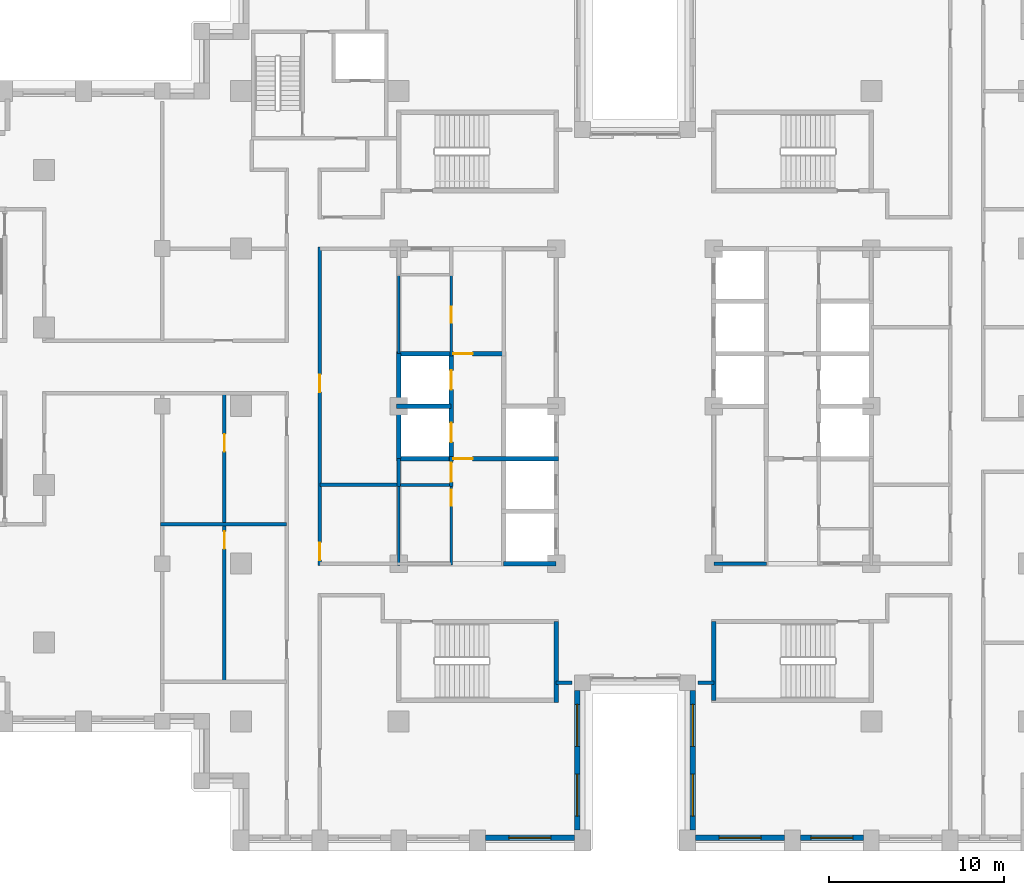
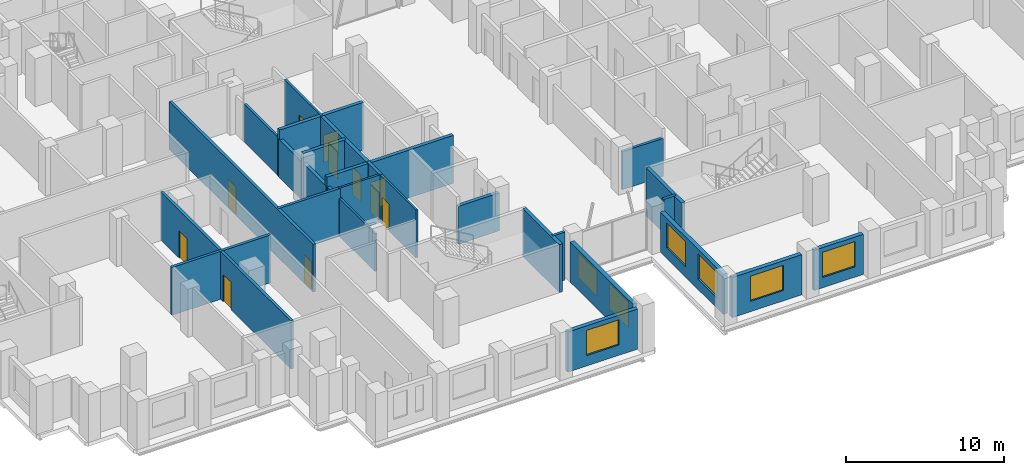
# One storey, part 7 of 16: 27 walls, 11 doors, 7 windows, 18 openings.
"""IFC4 building model written with IfcOpenShell, lengths in metres."""

import ifcopenshell
import ifcopenshell.guid

model = None  # the IFC model being written
_history = None  # IfcOwnerHistory: only IFC2X3 demands one
_inside = {}  # id of a spatial element -> (the spatial element, [elements in it])
_under = {}  # id of a project, library or spatial element -> (it, [spatial elements below it])
_declared = {}  # id of a project -> (the project, [libraries it declares])
_typed = {}  # id of a type object -> (the type object, [elements of that type])
_made_of = {}  # id of a material, layer set ... -> (it, [elements and type objects made of it])


def new_model(schema):
    """Start an empty IFC model of exactly this schema.

    Asked for "IFC4X3", IfcOpenShell would pick the latest addendum, in which some entities
    have other attributes; the version numbers below select the first issue.
    IFC2X3 requires an IfcOwnerHistory on every rooted entity: one is made here for all.
    """
    global model, _history
    if schema == "IFC4X3":
        model = ifcopenshell.file(schema_version=(4, 3, 0, 0))
    else:
        model = ifcopenshell.file(schema=schema)
    _inside.clear()
    _under.clear()
    _declared.clear()
    _typed.clear()
    _made_of.clear()
    _history = None
    if model.schema == "IFC2X3":
        org = make("IfcOrganization", Name="unknown")
        user = make(
            "IfcPersonAndOrganization",
            ThePerson=make("IfcPerson", FamilyName="unknown"),
            TheOrganization=org,
        )
        app = make(
            "IfcApplication",
            ApplicationDeveloper=org,
            Version="unknown",
            ApplicationFullName="unknown",
            ApplicationIdentifier="unknown",
        )
        _history = make(
            "IfcOwnerHistory",
            OwningUser=user,
            OwningApplication=app,
            ChangeAction="ADDED",
            CreationDate=0,
        )
    return model


def make(cls, **values):
    """One entity of the class cls with the attributes given. An attribute that is None is left unset."""
    return model.create_entity(
        cls, **{name: value for name, value in values.items() if value is not None}
    )


def rooted(cls, **values):
    """An entity with a GlobalId (a new one), such as an element, a storey or a relation."""
    return make(cls, GlobalId=ifcopenshell.guid.new(), OwnerHistory=_history, **values)


def si_unit(unit_type, name, prefix=None):
    """IfcSIUnit, for example si_unit("LENGTHUNIT", "METRE", prefix="MILLI")."""
    return make("IfcSIUnit", UnitType=unit_type, Prefix=prefix, Name=name)


def assignment(units):
    """IfcUnitAssignment: the units of a project."""
    return None if units is None else make("IfcUnitAssignment", Units=units)


def point(xyz):
    """IfcCartesianPoint."""
    return None if xyz is None else make("IfcCartesianPoint", Coordinates=xyz)


def direction(xyz):
    """IfcDirection."""
    return None if xyz is None else make("IfcDirection", DirectionRatios=xyz)


def frame(location, z_axis=None, x_axis=None):
    """IfcAxis2Placement3D, a coordinate frame: its origin and axes. An axis left out is left unset."""
    return make(
        "IfcAxis2Placement3D",
        Location=point(location),
        Axis=direction(z_axis),
        RefDirection=direction(x_axis),
    )


def frame_2d(location, x_axis=None):
    """IfcAxis2Placement2D, a coordinate frame in the plane: its origin and x axis."""
    return make(
        "IfcAxis2Placement2D", Location=point(location), RefDirection=direction(x_axis)
    )


def origin():
    """The frame at (0, 0, 0) with its axes left unset."""
    return frame((0.0, 0.0, 0.0))


def place(relative_to, where):
    """IfcLocalPlacement: puts the frame where relative to a parent placement (None: the world)."""
    return make(
        "IfcLocalPlacement", PlacementRelTo=relative_to, RelativePlacement=where
    )


def context(
    kind, dimensions, precision=None, world=None, true_north=None, identifier=None
):
    """IfcGeometricRepresentationContext, for example the 3D "Model" context."""
    return make(
        "IfcGeometricRepresentationContext",
        ContextIdentifier=identifier,
        ContextType=kind,
        CoordinateSpaceDimension=dimensions,
        Precision=precision,
        WorldCoordinateSystem=world,
        TrueNorth=true_north,
    )


def subcontext(parent, identifier, kind, view, scale=None):
    """IfcGeometricRepresentationSubContext, for example "Body" below "Model"."""
    return make(
        "IfcGeometricRepresentationSubContext",
        ContextIdentifier=identifier,
        ContextType=kind,
        ParentContext=parent,
        TargetScale=scale,
        TargetView=view,
    )


def project(units=None, contexts=None):
    """IfcProject with its units and contexts."""
    return rooted(
        "IfcProject",
        Name="project",
        RepresentationContexts=contexts,
        UnitsInContext=assignment(units),
    )


def spatial(cls, under=None, at=None, **own):
    """A site, building, storey or space (cls), placed at a placement, below another one or the project."""
    s = rooted(cls, ObjectPlacement=at, **own)
    if under is not None:
        _under.setdefault(under.id(), (under, []))[1].append(s)
    return s


def profile(cls, at=None, kind="AREA", **sizes):
    """A parametric profile (cls). Its sizes go by their IFC names, for example OverallWidth=200.0."""
    return make(cls, ProfileType=kind, Position=at, **sizes)


def rectangle(**sizes):
    """IfcRectangleProfileDef."""
    return profile("IfcRectangleProfileDef", **sizes)


def extrude(swept, where, along, depth):
    """IfcExtrudedAreaSolid: the profile swept, set in the frame where, extruded along a direction by depth."""
    return make(
        "IfcExtrudedAreaSolid",
        SweptArea=swept,
        Position=where,
        ExtrudedDirection=direction(along),
        Depth=depth,
    )


def shape(context_of_items, identifier, shape_type, items):
    """IfcShapeRepresentation: the items that make up one representation, for example the "Body"."""
    return make(
        "IfcShapeRepresentation",
        ContextOfItems=context_of_items,
        RepresentationIdentifier=identifier,
        RepresentationType=shape_type,
        Items=items,
    )


def material(Name=None, Category=None):
    """IfcMaterial."""
    return make("IfcMaterial", Name=Name, Category=Category)


def layer(
    of_material, thickness, ventilated=None, Name=None, Category=None, Priority=None
):
    """IfcMaterialLayer: one layer of a wall or slab, of a material (None: an air gap)."""
    return make(
        "IfcMaterialLayer",
        Material=of_material,
        LayerThickness=thickness,
        IsVentilated=ventilated,
        Name=Name,
        Category=Category,
        Priority=Priority,
    )


def layer_set(layers, Name=None):
    """IfcMaterialLayerSet."""
    return make("IfcMaterialLayerSet", MaterialLayers=layers, LayerSetName=Name)


def made_of(thing, what):
    """Note that an element or type object is made of a material, layer set ...; save() writes the relation."""
    if what is not None:
        _made_of.setdefault(what.id(), (what, []))[1].append(thing)
    return thing


def type_object(cls, material=None, **own):
    """A type object (cls), such as IfcWallType, which elements share."""
    return made_of(rooted(cls, **own), material)


def element(
    cls,
    number,
    at=None,
    inside=None,
    cuts=None,
    type_object=None,
    material=None,
    context=None,
    identifier="Body",
    shape_type=None,
    held_by="IfcProductDefinitionShape",
    body=None,
    shapes=None,
    **own,
):
    """One element of the class cls, such as IfcWall. Its Tag is "e" and its number.

    at: its placement. inside: the storey or other place that contains it. cuts: it is an
    opening in that element (IfcRelVoidsElement). A single representation is given by context,
    identifier, shape_type and body (its items); several are given by shapes. held_by: the class
    of the entity that holds the representations. save() writes the other relations.
    """
    e = rooted(cls, Tag="e%d" % number, ObjectPlacement=at, **own)
    if body is not None:
        shapes = [shape(context, identifier, shape_type, body)]
    if shapes is not None:
        e.Representation = make(held_by, Representations=shapes)
    if inside is not None:
        _inside.setdefault(inside.id(), (inside, []))[1].append(e)
    if cuts is not None:
        rooted(
            "IfcRelVoidsElement", RelatingBuildingElement=cuts, RelatedOpeningElement=e
        )
    if type_object is not None:
        _typed.setdefault(type_object.id(), (type_object, []))[1].append(e)
    return made_of(e, material)


def fill(opening, filler):
    """IfcRelFillsElement: the door or window that sits in an opening."""
    return rooted(
        "IfcRelFillsElement",
        RelatingOpeningElement=opening,
        RelatedBuildingElement=filler,
    )


def aggregate(whole, parts):
    """IfcRelAggregates: a whole, such as a stair, and the parts it consists of."""
    return rooted("IfcRelAggregates", RelatingObject=whole, RelatedObjects=parts)


def save(model, path):
    """Write the relations noted so far, then the file.

    IfcRelAggregates (storeys below a building ...), IfcRelContainedInSpatialStructure (elements
    in a storey), IfcRelDefinesByType, IfcRelAssociatesMaterial and IfcRelDeclares: one each for
    every whole, place, type object, material and project.
    """
    for whole, parts in _under.values():
        aggregate(whole, parts)
    for where, things in _inside.values():
        rooted(
            "IfcRelContainedInSpatialStructure",
            RelatedElements=things,
            RelatingStructure=where,
        )
    for kind, things in _typed.values():
        rooted("IfcRelDefinesByType", RelatedObjects=things, RelatingType=kind)
    for what, things in _made_of.values():
        rooted("IfcRelAssociatesMaterial", RelatedObjects=things, RelatingMaterial=what)
    for by, libraries in _declared.values():
        rooted("IfcRelDeclares", RelatingContext=by, RelatedDefinitions=libraries)
    model.write(path)


model = new_model("IFC4")

# Units and contexts
model_context = context("Model", 3, precision=1e-05, world=origin(), true_north=direction((0.0, 1.0)))
body_context = subcontext(model_context, "Body", "Model", "MODEL_VIEW")
ifc_project = project(units=[si_unit("LENGTHUNIT", "METRE"), si_unit("AREAUNIT", "SQUARE_METRE"), si_unit("VOLUMEUNIT", "CUBIC_METRE"), si_unit("PLANEANGLEUNIT", "RADIAN"), si_unit("MASSUNIT", "GRAM", prefix="KILO")], contexts=[model_context])

# Site, building, storey
site_placement = place(None, origin())
site = spatial("IfcSite", under=ifc_project, at=site_placement, CompositionType="ELEMENT")
building_placement = place(site_placement, origin())
building = spatial("IfcBuilding", under=site, at=building_placement, Name="Corbelhall Arena Tower", CompositionType="ELEMENT")
storey_placement = place(building_placement, frame((0.0, 0.0, 112.0)))
storey = spatial("IfcBuildingStorey", under=building, at=storey_placement, Name="L20", CompositionType="ELEMENT", Elevation=112.0)

# Wall, opening, window
ifc_material_1 = material(Name="Precast concrete C40/50 with granite facing", Category="masonry")
ifc_layer_1 = layer(ifc_material_1, 0.300048828125)
ifc_layer_set_1 = layer_set([ifc_layer_1], Name="EV-IW1 Infill panel 300")
wall_type_1 = type_object("IfcWallType", Name="EV-IW1 Infill panel 300", PredefinedType="SOLIDWALL", material=ifc_layer_set_1)
wall_1_placement = place(storey_placement, frame((-8.550048828125, -24.64990234375, 0.0), z_axis=(0.0, 0.0, 1.0), x_axis=(1.0, 0.0, 0.0)))
wall_1 = element("IfcWall", 1, at=wall_1_placement, inside=storey, type_object=wall_type_1, Name="Infill panel IW1", PredefinedType="SOLIDWALL", context=body_context, shape_type="SweptSolid", body=[
    extrude(rectangle(XDim=5.10009765625, YDim=0.300048828125, at=frame_2d((2.550048828125, 0.0))), origin(), (0.0, 0.0, 1.0), 3.10009765625),
])
opening_1_placement = place(wall_1_placement, frame((1.35009765625, 0.0, 0.800048828125)))
opening_1 = element("IfcOpeningElement", 2, at=opening_1_placement, cuts=wall_1, Name="Opening WN1", PredefinedType="OPENING", context=body_context, shape_type="SweptSolid", body=[
    extrude(rectangle(XDim=2.39990234375, YDim=1.949951171875, at=frame_2d((1.199951171875, 0.97509765625))), frame((0.0, 0.14990234375, 0.0), z_axis=(0.0, -1.0, 0.0), x_axis=(1.0, 0.0, 0.0)), (0.0, 0.0, 1.0), 0.300048828125),
])
ifc_material_2 = material(Name="Aluminium black anodised", Category="aluminium")
window_type = type_object("IfcWindowType", Name="EV-WN1 Office window", PartitioningType="SINGLE_PANEL", PredefinedType="WINDOW", material=ifc_material_2)
window_1_placement = place(opening_1_placement, origin())
window_1 = element("IfcWindow", 3, at=window_1_placement, inside=storey, type_object=window_type, Name="Window WN1", OverallHeight=1.949951171875, OverallWidth=2.39990234375, PartitioningType="SINGLE_PANEL", PredefinedType="WINDOW", context=body_context, shape_type="SweptSolid", body=[
    extrude(rectangle(XDim=2.39990234375, YDim=1.949951171875, at=frame_2d((1.199951171875, 0.97509765625))), frame((0.0, 0.030029296875, 0.0), z_axis=(0.0, -1.0, 0.0), x_axis=(1.0, 0.0, 0.0)), (0.0, 0.0, 1.0), 0.06005859375),
])
fill(opening_1, window_1)

# Wall, openings, windows
wall_2_placement = place(storey_placement, frame((-3.300048828125, -24.199951171875, 0.0), z_axis=(0.0, 0.0, 1.0), x_axis=(0.0, 1.0, 0.0)))
wall_2 = element("IfcWall", 4, at=wall_2_placement, inside=storey, type_object=wall_type_1, Name="Infill panel IW1", PredefinedType="SOLIDWALL", context=body_context, shape_type="SweptSolid", body=[
    extrude(rectangle(XDim=7.949951171875, YDim=0.300048828125, at=frame_2d((3.97509765625, 0.0))), origin(), (0.0, 0.0, 1.0), 3.10009765625),
])
opening_2_placement = place(wall_2_placement, frame((0.78759765625, 0.0, 0.800048828125)))
opening_2 = element("IfcOpeningElement", 5, at=opening_2_placement, cuts=wall_2, Name="Opening WN1", PredefinedType="OPENING", context=body_context, shape_type="SweptSolid", body=[
    extrude(rectangle(XDim=2.39990234375, YDim=1.949951171875, at=frame_2d((1.199951171875, 0.97509765625))), frame((0.0, 0.14990234375, 0.0), z_axis=(0.0, -1.0, 0.0), x_axis=(1.0, 0.0, 0.0)), (0.0, 0.0, 1.0), 0.300048828125),
])
opening_3_placement = place(wall_2_placement, frame((4.762451171875, 0.0, 0.800048828125)))
opening_3 = element("IfcOpeningElement", 6, at=opening_3_placement, cuts=wall_2, Name="Opening WN1", PredefinedType="OPENING", context=body_context, shape_type="SweptSolid", body=[
    extrude(rectangle(XDim=2.39990234375, YDim=1.949951171875, at=frame_2d((1.199951171875, 0.97509765625))), frame((0.0, 0.14990234375, 0.0), z_axis=(0.0, -1.0, 0.0), x_axis=(1.0, 0.0, 0.0)), (0.0, 0.0, 1.0), 0.300048828125),
])
window_2_placement = place(opening_2_placement, origin())
window_2 = element("IfcWindow", 7, at=window_2_placement, inside=storey, type_object=window_type, Name="Window WN1", OverallHeight=1.949951171875, OverallWidth=2.39990234375, PartitioningType="SINGLE_PANEL", PredefinedType="WINDOW", context=body_context, shape_type="SweptSolid", body=[
    extrude(rectangle(XDim=2.39990234375, YDim=1.949951171875, at=frame_2d((1.199951171875, 0.97509765625))), frame((0.0, 0.030029296875, 0.0), z_axis=(0.0, -1.0, 0.0), x_axis=(1.0, 0.0, 0.0)), (0.0, 0.0, 1.0), 0.06005859375),
])
fill(opening_2, window_2)
window_3_placement = place(opening_3_placement, origin())
window_3 = element("IfcWindow", 8, at=window_3_placement, inside=storey, type_object=window_type, Name="Window WN1", OverallHeight=1.949951171875, OverallWidth=2.39990234375, PartitioningType="SINGLE_PANEL", PredefinedType="WINDOW", context=body_context, shape_type="SweptSolid", body=[
    extrude(rectangle(XDim=2.39990234375, YDim=1.949951171875, at=frame_2d((1.199951171875, 0.97509765625))), frame((0.0, 0.030029296875, 0.0), z_axis=(0.0, -1.0, 0.0), x_axis=(1.0, 0.0, 0.0)), (0.0, 0.0, 1.0), 0.06005859375),
])
fill(opening_3, window_3)

wall_3_placement = place(storey_placement, frame((3.300048828125, -16.25, 0.0), z_axis=(0.0, 0.0, 1.0), x_axis=(0.0, -1.0, 0.0)))
wall_3 = element("IfcWall", 9, at=wall_3_placement, inside=storey, type_object=wall_type_1, Name="Infill panel IW1", PredefinedType="SOLIDWALL", context=body_context, shape_type="SweptSolid", body=[
    extrude(rectangle(XDim=7.949951171875, YDim=0.300048828125, at=frame_2d((3.97509765625, 0.0))), origin(), (0.0, 0.0, 1.0), 3.10009765625),
])
opening_4_placement = place(wall_3_placement, frame((0.78759765625, 0.0, 0.800048828125)))
opening_4 = element("IfcOpeningElement", 10, at=opening_4_placement, cuts=wall_3, Name="Opening WN1", PredefinedType="OPENING", context=body_context, shape_type="SweptSolid", body=[
    extrude(rectangle(XDim=2.39990234375, YDim=1.949951171875, at=frame_2d((1.199951171875, 0.97509765625))), frame((0.0, 0.14990234375, 0.0), z_axis=(0.0, -1.0, 0.0), x_axis=(1.0, 0.0, 0.0)), (0.0, 0.0, 1.0), 0.300048828125),
])
opening_5_placement = place(wall_3_placement, frame((4.762451171875, 0.0, 0.800048828125)))
opening_5 = element("IfcOpeningElement", 11, at=opening_5_placement, cuts=wall_3, Name="Opening WN1", PredefinedType="OPENING", context=body_context, shape_type="SweptSolid", body=[
    extrude(rectangle(XDim=2.39990234375, YDim=1.949951171875, at=frame_2d((1.199951171875, 0.97509765625))), frame((0.0, 0.14990234375, 0.0), z_axis=(0.0, -1.0, 0.0), x_axis=(1.0, 0.0, 0.0)), (0.0, 0.0, 1.0), 0.300048828125),
])
window_4_placement = place(opening_4_placement, origin())
window_4 = element("IfcWindow", 12, at=window_4_placement, inside=storey, type_object=window_type, Name="Window WN1", OverallHeight=1.949951171875, OverallWidth=2.39990234375, PartitioningType="SINGLE_PANEL", PredefinedType="WINDOW", context=body_context, shape_type="SweptSolid", body=[
    extrude(rectangle(XDim=2.39990234375, YDim=1.949951171875, at=frame_2d((1.199951171875, 0.97509765625))), frame((0.0, 0.030029296875, 0.0), z_axis=(0.0, -1.0, 0.0), x_axis=(1.0, 0.0, 0.0)), (0.0, 0.0, 1.0), 0.06005859375),
])
fill(opening_4, window_4)
window_5_placement = place(opening_5_placement, origin())
window_5 = element("IfcWindow", 13, at=window_5_placement, inside=storey, type_object=window_type, Name="Window WN1", OverallHeight=1.949951171875, OverallWidth=2.39990234375, PartitioningType="SINGLE_PANEL", PredefinedType="WINDOW", context=body_context, shape_type="SweptSolid", body=[
    extrude(rectangle(XDim=2.39990234375, YDim=1.949951171875, at=frame_2d((1.199951171875, 0.97509765625))), frame((0.0, 0.030029296875, 0.0), z_axis=(0.0, -1.0, 0.0), x_axis=(1.0, 0.0, 0.0)), (0.0, 0.0, 1.0), 0.06005859375),
])
fill(opening_5, window_5)

# Wall, opening, window
wall_4_placement = place(storey_placement, frame((3.449951171875, -24.64990234375, 0.0), z_axis=(0.0, 0.0, 1.0), x_axis=(1.0, 0.0, 0.0)))
wall_4 = element("IfcWall", 14, at=wall_4_placement, inside=storey, type_object=wall_type_1, Name="Infill panel IW1", PredefinedType="SOLIDWALL", context=body_context, shape_type="SweptSolid", body=[
    extrude(rectangle(XDim=5.10009765625, YDim=0.300048828125, at=frame_2d((2.550048828125, 0.0))), origin(), (0.0, 0.0, 1.0), 3.10009765625),
])
opening_6_placement = place(wall_4_placement, frame((1.35009765625, 0.0, 0.800048828125)))
opening_6 = element("IfcOpeningElement", 15, at=opening_6_placement, cuts=wall_4, Name="Opening WN1", PredefinedType="OPENING", context=body_context, shape_type="SweptSolid", body=[
    extrude(rectangle(XDim=2.39990234375, YDim=1.949951171875, at=frame_2d((1.199951171875, 0.97509765625))), frame((0.0, 0.14990234375, 0.0), z_axis=(0.0, -1.0, 0.0), x_axis=(1.0, 0.0, 0.0)), (0.0, 0.0, 1.0), 0.300048828125),
])
window_6_placement = place(opening_6_placement, origin())
window_6 = element("IfcWindow", 16, at=window_6_placement, inside=storey, type_object=window_type, Name="Window WN1", OverallHeight=1.949951171875, OverallWidth=2.39990234375, PartitioningType="SINGLE_PANEL", PredefinedType="WINDOW", context=body_context, shape_type="SweptSolid", body=[
    extrude(rectangle(XDim=2.39990234375, YDim=1.949951171875, at=frame_2d((1.199951171875, 0.97509765625))), frame((0.0, 0.030029296875, 0.0), z_axis=(0.0, -1.0, 0.0), x_axis=(1.0, 0.0, 0.0)), (0.0, 0.0, 1.0), 0.06005859375),
])
fill(opening_6, window_6)

wall_5_placement = place(storey_placement, frame((9.449951171875, -24.64990234375, 0.0), z_axis=(0.0, 0.0, 1.0), x_axis=(1.0, 0.0, 0.0)))
wall_5 = element("IfcWall", 17, at=wall_5_placement, inside=storey, type_object=wall_type_1, Name="Infill panel IW1", PredefinedType="SOLIDWALL", context=body_context, shape_type="SweptSolid", body=[
    extrude(rectangle(XDim=3.60009765625, YDim=0.300048828125, at=frame_2d((1.800048828125, 0.0))), origin(), (0.0, 0.0, 1.0), 3.10009765625),
])
opening_7_placement = place(wall_5_placement, frame((0.60009765625, 0.0, 0.800048828125)))
opening_7 = element("IfcOpeningElement", 18, at=opening_7_placement, cuts=wall_5, Name="Opening WN1", PredefinedType="OPENING", context=body_context, shape_type="SweptSolid", body=[
    extrude(rectangle(XDim=2.39990234375, YDim=1.949951171875, at=frame_2d((1.199951171875, 0.97509765625))), frame((0.0, 0.14990234375, 0.0), z_axis=(0.0, -1.0, 0.0), x_axis=(1.0, 0.0, 0.0)), (0.0, 0.0, 1.0), 0.300048828125),
])
window_7_placement = place(opening_7_placement, origin())
window_7 = element("IfcWindow", 19, at=window_7_placement, inside=storey, type_object=window_type, Name="Window WN1", OverallHeight=1.949951171875, OverallWidth=2.39990234375, PartitioningType="SINGLE_PANEL", PredefinedType="WINDOW", context=body_context, shape_type="SweptSolid", body=[
    extrude(rectangle(XDim=2.39990234375, YDim=1.949951171875, at=frame_2d((1.199951171875, 0.97509765625))), frame((0.0, 0.030029296875, 0.0), z_axis=(0.0, -1.0, 0.0), x_axis=(1.0, 0.0, 0.0)), (0.0, 0.0, 1.0), 0.06005859375),
])
fill(opening_7, window_7)

# Wall
ifc_material_3 = material(Name="Gypsum board on steel stud, acoustic", Category="steel")
ifc_layer_2 = layer(ifc_material_3, 0.199951171875)
ifc_layer_set_2 = layer_set([ifc_layer_2], Name="IN-W-DM200")
wall_type_2 = type_object("IfcWallType", Name="IN-W-DM200", PredefinedType="PARTITIONING", material=ifc_layer_set_2)
wall_6_placement = place(storey_placement, frame((-27.10009765625, -6.75, 0.0), z_axis=(0.0, 0.0, 1.0), x_axis=(1.0, 0.0, 0.0)))
element("IfcWall", 20, at=wall_6_placement, inside=storey, type_object=wall_type_2, Name="Partition 007", PredefinedType="PARTITIONING", context=body_context, shape_type="SweptSolid", body=[
    extrude(rectangle(XDim=7.2001953125, YDim=0.199951171875, at=frame_2d((3.60009765625, 0.0))), origin(), (0.0, 0.0, 1.0), 3.699951171875),
])

# Wall, openings, doors
wall_7_placement = place(storey_placement, frame((-23.449951171875, -15.75, 0.0), z_axis=(0.0, 0.0, 1.0), x_axis=(0.0, 1.0, 0.0)))
wall_7 = element("IfcWall", 21, at=wall_7_placement, inside=storey, type_object=wall_type_2, Name="Partition 012", PredefinedType="PARTITIONING", context=body_context, shape_type="SweptSolid", body=[
    extrude(rectangle(XDim=16.5, YDim=0.199951171875, at=frame_2d((8.25, 0.0))), origin(), (0.0, 0.0, 1.0), 3.699951171875),
])
opening_8_placement = place(wall_7_placement, frame((7.60009765625, 0.0, 0.0)))
opening_8 = element("IfcOpeningElement", 22, at=opening_8_placement, cuts=wall_7, Name="Opening 05035", PredefinedType="OPENING", context=body_context, shape_type="SweptSolid", body=[
    extrude(rectangle(XDim=1.0, YDim=2.10009765625, at=frame_2d((0.5, 1.050048828125))), frame((0.0, 0.10009765625, 0.0), z_axis=(0.0, -1.0, 0.0), x_axis=(1.0, 0.0, 0.0)), (0.0, 0.0, 1.0), 0.199951171875),
])
opening_9_placement = place(wall_7_placement, frame((13.14990234375, 0.0, 0.0)))
opening_9 = element("IfcOpeningElement", 23, at=opening_9_placement, cuts=wall_7, Name="Opening 05037", PredefinedType="OPENING", context=body_context, shape_type="SweptSolid", body=[
    extrude(rectangle(XDim=1.0, YDim=2.10009765625, at=frame_2d((0.5, 1.050048828125))), frame((0.0, 0.10009765625, 0.0), z_axis=(0.0, -1.0, 0.0), x_axis=(1.0, 0.0, 0.0)), (0.0, 0.0, 1.0), 0.199951171875),
])
ifc_material_4 = material(Name="Steel door set", Category="steel")
door_type_1 = type_object("IfcDoorType", Name="IN-D-SW100", OperationType="NOTDEFINED", PredefinedType="DOOR", material=ifc_material_4)
door_1_placement = place(opening_8_placement, origin())
door_1 = element("IfcDoor", 24, at=door_1_placement, inside=storey, type_object=door_type_1, Name="Door 035", OperationType="SINGLE_SWING_RIGHT", OverallHeight=2.10009765625, OverallWidth=1.0, PredefinedType="DOOR", context=body_context, shape_type="SweptSolid", body=[
    extrude(rectangle(XDim=1.0, YDim=2.10009765625, at=frame_2d((0.5, 1.050048828125))), frame((0.0, 0.02490234375, 0.0), z_axis=(0.0, -1.0, 0.0), x_axis=(1.0, 0.0, 0.0)), (0.0, 0.0, 1.0), 0.050048828125),
])
fill(opening_8, door_1)
door_2_placement = place(opening_9_placement, origin())
door_2 = element("IfcDoor", 25, at=door_2_placement, inside=storey, type_object=door_type_1, Name="Door 037", OperationType="SINGLE_SWING_RIGHT", OverallHeight=2.10009765625, OverallWidth=1.0, PredefinedType="DOOR", context=body_context, shape_type="SweptSolid", body=[
    extrude(rectangle(XDim=1.0, YDim=2.10009765625, at=frame_2d((0.5, 1.050048828125))), frame((0.0, 0.02490234375, 0.0), z_axis=(0.0, -1.0, 0.0), x_axis=(1.0, 0.0, 0.0)), (0.0, 0.0, 1.0), 0.050048828125),
])
fill(opening_9, door_2)

# Wall
wall_8_placement = place(storey_placement, frame((-18.0, -4.5, 0.0), z_axis=(0.0, 0.0, 1.0), x_axis=(1.0, 0.0, 0.0)))
element("IfcWall", 26, at=wall_8_placement, inside=storey, type_object=wall_type_2, Name="Partition 019", PredefinedType="PARTITIONING", context=body_context, shape_type="SweptSolid", body=[
    extrude(rectangle(XDim=4.5, YDim=0.199951171875, at=frame_2d((2.25, 0.0))), origin(), (0.0, 0.0, 1.0), 3.699951171875),
])

# Wall, openings, doors
wall_9_placement = place(storey_placement, frame((-18.0, 9.10009765625, 0.0), z_axis=(0.0, 0.0, 1.0), x_axis=(0.0, -1.0, 0.0)))
wall_9 = element("IfcWall", 27, at=wall_9_placement, inside=storey, type_object=wall_type_2, Name="Partition 020", PredefinedType="PARTITIONING", context=body_context, shape_type="SweptSolid", body=[
    extrude(rectangle(XDim=18.2001953125, YDim=0.199951171875, at=frame_2d((9.10009765625, 0.0))), origin(), (0.0, 0.0, 1.0), 3.699951171875),
])
opening_10_placement = place(wall_9_placement, frame((16.89990234375, 0.0, 0.0)))
opening_10 = element("IfcOpeningElement", 28, at=opening_10_placement, cuts=wall_9, Name="Opening 05022", PredefinedType="OPENING", context=body_context, shape_type="SweptSolid", body=[
    extrude(rectangle(XDim=1.0, YDim=2.10009765625, at=frame_2d((0.5, 1.050048828125))), frame((0.0, 0.10009765625, 0.0), z_axis=(0.0, -1.0, 0.0), x_axis=(1.0, 0.0, 0.0)), (0.0, 0.0, 1.0), 0.199951171875),
])
opening_11_placement = place(wall_9_placement, frame((7.300048828125, 0.0, 0.0)))
opening_11 = element("IfcOpeningElement", 29, at=opening_11_placement, cuts=wall_9, Name="Opening 05023", PredefinedType="OPENING", context=body_context, shape_type="SweptSolid", body=[
    extrude(rectangle(XDim=1.0, YDim=2.10009765625, at=frame_2d((0.5, 1.050048828125))), frame((0.0, 0.10009765625, 0.0), z_axis=(0.0, -1.0, 0.0), x_axis=(1.0, 0.0, 0.0)), (0.0, 0.0, 1.0), 0.199951171875),
])
door_3_placement = place(opening_10_placement, origin())
door_3 = element("IfcDoor", 30, at=door_3_placement, inside=storey, type_object=door_type_1, Name="Door 022", OperationType="SINGLE_SWING_LEFT", OverallHeight=2.10009765625, OverallWidth=1.0, PredefinedType="DOOR", context=body_context, shape_type="SweptSolid", body=[
    extrude(rectangle(XDim=1.0, YDim=2.10009765625, at=frame_2d((0.5, 1.050048828125))), frame((0.0, 0.02490234375, 0.0), z_axis=(0.0, -1.0, 0.0), x_axis=(1.0, 0.0, 0.0)), (0.0, 0.0, 1.0), 0.050048828125),
])
fill(opening_10, door_3)
door_4_placement = place(opening_11_placement, origin())
door_4 = element("IfcDoor", 31, at=door_4_placement, inside=storey, type_object=door_type_1, Name="Door 023", OperationType="SINGLE_SWING_RIGHT", OverallHeight=2.10009765625, OverallWidth=1.0, PredefinedType="DOOR", context=body_context, shape_type="SweptSolid", body=[
    extrude(rectangle(XDim=1.0, YDim=2.10009765625, at=frame_2d((0.5, 1.050048828125))), frame((0.0, 0.02490234375, 0.0), z_axis=(0.0, -1.0, 0.0), x_axis=(1.0, 0.0, 0.0)), (0.0, 0.0, 1.0), 0.050048828125),
])
fill(opening_11, door_4)

# Walls
for number, where, z_axis, x_axis, name in (
    (32, (-3.60009765625, -15.800048828125, 0.0), (0.0, 0.0, 1.0), (-1.0, 0.0, 0.0), "Partition 033"),
    (33, (4.5, -15.800048828125, 0.0), (0.0, 0.0, 1.0), (-1.0, 0.0, 0.0), "Partition 035"),
):
    element("IfcWall", number, at=place(storey_placement, frame(where, z_axis=z_axis, x_axis=x_axis)), inside=storey, type_object=wall_type_2, Name=name, PredefinedType="PARTITIONING", context=body_context, shape_type="SweptSolid", body=[
        extrude(rectangle(XDim=0.89990234375, YDim=0.199951171875, at=frame_2d((0.449951171875, 0.0))), origin(), (0.0, 0.0, 1.0), 3.699951171875),
    ])

# Wall, opening, door
ifc_material_5 = material(Name="Concrete block wall", Category="concrete")
ifc_layer_3 = layer(ifc_material_5, 0.199951171875)
ifc_layer_set_3 = layer_set([ifc_layer_3], Name="IN-W-RS200")
wall_type_3 = type_object("IfcWallType", Name="IN-W-RS200", PredefinedType="SOLIDWALL", material=ifc_layer_set_3)
wall_10_placement = place(storey_placement, frame((-10.5, -4.574951171875, 0.0), z_axis=(0.0, 0.0, 1.0), x_axis=(0.0, 1.0, 0.0)))
wall_10 = element("IfcWall", 34, at=wall_10_placement, inside=storey, type_object=wall_type_3, Name="Partition 067", PredefinedType="SOLIDWALL", context=body_context, shape_type="SweptSolid", body=[
    extrude(rectangle(XDim=1.699951171875, YDim=0.199951171875, at=frame_2d((0.85009765625, 0.0))), origin(), (0.0, 0.0, 1.0), 3.699951171875),
])
opening_12_placement = place(wall_10_placement, frame((0.25, 0.0, 0.0)))
opening_12 = element("IfcOpeningElement", 35, at=opening_12_placement, cuts=wall_10, Name="Opening 05005", PredefinedType="OPENING", context=body_context, shape_type="SweptSolid", body=[
    extrude(rectangle(XDim=1.10009765625, YDim=2.10009765625, at=frame_2d((0.550048828125, 1.050048828125))), frame((0.0, 0.10009765625, 0.0), z_axis=(0.0, -1.0, 0.0), x_axis=(1.0, 0.0, 0.0)), (0.0, 0.0, 1.0), 0.199951171875),
])
door_type_2 = type_object("IfcDoorType", Name="IN-D-FD110", OperationType="NOTDEFINED", PredefinedType="DOOR", material=ifc_material_4)
door_5_placement = place(opening_12_placement, origin())
door_5 = element("IfcDoor", 36, at=door_5_placement, inside=storey, type_object=door_type_2, Name="Door 005", OperationType="SINGLE_SWING_RIGHT", OverallHeight=2.10009765625, OverallWidth=1.10009765625, PredefinedType="DOOR", context=body_context, shape_type="SweptSolid", body=[
    extrude(rectangle(XDim=1.10009765625, YDim=2.10009765625, at=frame_2d((0.550048828125, 1.050048828125))), frame((0.0, 0.02490234375, 0.0), z_axis=(0.0, -1.0, 0.0), x_axis=(1.0, 0.0, 0.0)), (0.0, 0.0, 1.0), 0.050048828125),
])
fill(opening_12, door_5)

# Walls
ifc_layer_4 = layer(ifc_material_5, 0.199951171875)
ifc_layer_set_4 = layer_set([ifc_layer_4], Name="IN-W-RS200 under beam 762 mm")
wall_type_4 = type_object("IfcWallType", Name="IN-W-RS200 under beam 762 mm", PredefinedType="SOLIDWALL", material=ifc_layer_set_4)
wall_11_placement = place(storey_placement, frame((-13.5, -4.60009765625, 0.0), z_axis=(0.0, 0.0, 1.0), x_axis=(0.0, 1.0, 0.0)))
element("IfcWall", 37, at=wall_11_placement, inside=storey, type_object=wall_type_4, Name="Partition 065", PredefinedType="SOLIDWALL", context=body_context, shape_type="SweptSolid", body=[
    extrude(rectangle(XDim=1.60009765625, YDim=0.199951171875, at=frame_2d((0.800048828125, 0.0))), origin(), (0.0, 0.0, 1.0), 2.93798828125),
])
wall_12_placement = place(storey_placement, frame((7.5, -9.0, 0.0), z_axis=(0.0, 0.0, 1.0), x_axis=(-1.0, 0.0, 0.0)))
element("IfcWall", 38, at=wall_12_placement, inside=storey, type_object=wall_type_4, Name="Partition 073", PredefinedType="SOLIDWALL", context=body_context, shape_type="SweptSolid", body=[
    extrude(rectangle(XDim=3.0, YDim=0.199951171875, at=frame_2d((1.5, 0.0))), origin(), (0.0, 0.0, 1.0), 2.93798828125),
])
ifc_material_6 = material(Name="Concrete C40/50", Category="concrete")
ifc_layer_5 = layer(ifc_material_6, 0.25)
ifc_layer_set_5 = layer_set([ifc_layer_5], Name="IN-W-SH250")
wall_type_5 = type_object("IfcWallType", Name="IN-W-SH250", PredefinedType="SOLIDWALL", material=ifc_layer_set_5)
wall_13_placement = place(storey_placement, frame((-13.625, 0.0, 0.0), z_axis=(0.0, 0.0, 1.0), x_axis=(1.0, 0.0, 0.0)))
element("IfcWall", 39, at=wall_13_placement, inside=storey, type_object=wall_type_5, Name="Shaft wall 080", PredefinedType="SOLIDWALL", context=body_context, shape_type="SweptSolid", body=[
    extrude(rectangle(XDim=3.125, YDim=0.25, at=frame_2d((1.5625, 0.0))), origin(), (0.0, 0.0, 1.0), 3.699951171875),
])

# Wall, opening, door
wall_14_placement = place(storey_placement, frame((-13.625, 3.0, 0.0), z_axis=(0.0, 0.0, 1.0), x_axis=(1.0, 0.0, 0.0)))
wall_14 = element("IfcWall", 40, at=wall_14_placement, inside=storey, type_object=wall_type_5, Name="Shaft wall 081", PredefinedType="SOLIDWALL", context=body_context, shape_type="SweptSolid", body=[
    extrude(rectangle(XDim=6.125, YDim=0.25, at=frame_2d((3.0625, 0.0))), origin(), (0.0, 0.0, 1.0), 3.699951171875),
])
opening_13_placement = place(wall_14_placement, frame((3.25, 0.0, 0.0)))
opening_13 = element("IfcOpeningElement", 41, at=opening_13_placement, cuts=wall_14, Name="Opening 05003", PredefinedType="OPENING", context=body_context, shape_type="SweptSolid", body=[
    extrude(rectangle(XDim=1.10009765625, YDim=2.10009765625, at=frame_2d((0.550048828125, 1.050048828125))), frame((0.0, 0.125, 0.0), z_axis=(0.0, -1.0, 0.0), x_axis=(1.0, 0.0, 0.0)), (0.0, 0.0, 1.0), 0.25),
])
door_6_placement = place(opening_13_placement, origin())
door_6 = element("IfcDoor", 42, at=door_6_placement, inside=storey, type_object=door_type_2, Name="Door 003", OperationType="SINGLE_SWING_RIGHT", OverallHeight=2.10009765625, OverallWidth=1.10009765625, PredefinedType="DOOR", context=body_context, shape_type="SweptSolid", body=[
    extrude(rectangle(XDim=1.10009765625, YDim=2.10009765625, at=frame_2d((0.550048828125, 1.050048828125))), frame((0.0, 0.02490234375, 0.0), z_axis=(0.0, -1.0, 0.0), x_axis=(1.0, 0.0, 0.0)), (0.0, 0.0, 1.0), 0.050048828125),
])
fill(opening_13, door_6)

wall_15_placement = place(storey_placement, frame((-13.625, -3.0, 0.0), z_axis=(0.0, 0.0, 1.0), x_axis=(1.0, 0.0, 0.0)))
wall_15 = element("IfcWall", 43, at=wall_15_placement, inside=storey, type_object=wall_type_5, Name="Shaft wall 083", PredefinedType="SOLIDWALL", context=body_context, shape_type="SweptSolid", body=[
    extrude(rectangle(XDim=9.25, YDim=0.25, at=frame_2d((4.625, 0.0))), origin(), (0.0, 0.0, 1.0), 3.699951171875),
])
opening_14_placement = place(wall_15_placement, frame((3.25, 0.0, 0.0)))
opening_14 = element("IfcOpeningElement", 44, at=opening_14_placement, cuts=wall_15, Name="Opening 05002", PredefinedType="OPENING", context=body_context, shape_type="SweptSolid", body=[
    extrude(rectangle(XDim=1.10009765625, YDim=2.10009765625, at=frame_2d((0.550048828125, 1.050048828125))), frame((0.0, 0.125, 0.0), z_axis=(0.0, -1.0, 0.0), x_axis=(1.0, 0.0, 0.0)), (0.0, 0.0, 1.0), 0.25),
])
door_7_placement = place(opening_14_placement, origin())
door_7 = element("IfcDoor", 45, at=door_7_placement, inside=storey, type_object=door_type_2, Name="Door 002", OperationType="SINGLE_SWING_LEFT", OverallHeight=2.10009765625, OverallWidth=1.10009765625, PredefinedType="DOOR", context=body_context, shape_type="SweptSolid", body=[
    extrude(rectangle(XDim=1.10009765625, YDim=2.10009765625, at=frame_2d((0.550048828125, 1.050048828125))), frame((0.0, 0.02490234375, 0.0), z_axis=(0.0, -1.0, 0.0), x_axis=(1.0, 0.0, 0.0)), (0.0, 0.0, 1.0), 0.050048828125),
])
fill(opening_14, door_7)

# Wall, openings, doors
wall_16_placement = place(storey_placement, frame((-10.5, -3.125, 0.0), z_axis=(0.0, 0.0, 1.0), x_axis=(0.0, 1.0, 0.0)))
wall_16 = element("IfcWall", 46, at=wall_16_placement, inside=storey, type_object=wall_type_5, Name="Shaft wall 084", PredefinedType="SOLIDWALL", context=body_context, shape_type="SweptSolid", body=[
    extrude(rectangle(XDim=6.25, YDim=0.25, at=frame_2d((3.125, 0.0))), origin(), (0.0, 0.0, 1.0), 3.699951171875),
])
opening_15_placement = place(wall_16_placement, frame((1.074951171875, 0.0, 0.0)))
opening_15 = element("IfcOpeningElement", 47, at=opening_15_placement, cuts=wall_16, Name="Opening LD", PredefinedType="OPENING", context=body_context, shape_type="SweptSolid", body=[
    extrude(rectangle(XDim=1.10009765625, YDim=2.10009765625, at=frame_2d((0.550048828125, 1.050048828125))), frame((0.0, 0.125, 0.0), z_axis=(0.0, -1.0, 0.0), x_axis=(1.0, 0.0, 0.0)), (0.0, 0.0, 1.0), 0.25),
])
opening_16_placement = place(wall_16_placement, frame((4.074951171875, 0.0, 0.0)))
opening_16 = element("IfcOpeningElement", 48, at=opening_16_placement, cuts=wall_16, Name="Opening LD", PredefinedType="OPENING", context=body_context, shape_type="SweptSolid", body=[
    extrude(rectangle(XDim=1.10009765625, YDim=2.10009765625, at=frame_2d((0.550048828125, 1.050048828125))), frame((0.0, 0.125, 0.0), z_axis=(0.0, -1.0, 0.0), x_axis=(1.0, 0.0, 0.0)), (0.0, 0.0, 1.0), 0.25),
])
door_type_3 = type_object("IfcDoorType", Name="IN-D-LD110", OperationType="NOTDEFINED", PredefinedType="DOOR", material=ifc_material_4)
door_8_placement = place(opening_15_placement, origin())
door_8 = element("IfcDoor", 49, at=door_8_placement, inside=storey, type_object=door_type_3, Name="Landing door W3", OperationType="SLIDING_TO_LEFT", OverallHeight=2.10009765625, OverallWidth=1.10009765625, PredefinedType="DOOR", context=body_context, shape_type="SweptSolid", body=[
    extrude(rectangle(XDim=1.10009765625, YDim=2.10009765625, at=frame_2d((0.550048828125, 1.050048828125))), frame((0.0, 0.02490234375, 0.0), z_axis=(0.0, -1.0, 0.0), x_axis=(1.0, 0.0, 0.0)), (0.0, 0.0, 1.0), 0.050048828125),
])
fill(opening_15, door_8)
door_9_placement = place(opening_16_placement, origin())
door_9 = element("IfcDoor", 50, at=door_9_placement, inside=storey, type_object=door_type_3, Name="Landing door W4", OperationType="SLIDING_TO_LEFT", OverallHeight=2.10009765625, OverallWidth=1.10009765625, PredefinedType="DOOR", context=body_context, shape_type="SweptSolid", body=[
    extrude(rectangle(XDim=1.10009765625, YDim=2.10009765625, at=frame_2d((0.550048828125, 1.050048828125))), frame((0.0, 0.02490234375, 0.0), z_axis=(0.0, -1.0, 0.0), x_axis=(1.0, 0.0, 0.0)), (0.0, 0.0, 1.0), 0.050048828125),
])
fill(opening_16, door_9)

# Walls
ifc_layer_6 = layer(ifc_material_6, 0.25)
ifc_layer_set_6 = layer_set([ifc_layer_6], Name="IN-W-SH250 under beam 762 mm")
wall_type_6 = type_object("IfcWallType", Name="IN-W-SH250 under beam 762 mm", PredefinedType="SOLIDWALL", material=ifc_layer_set_6)
wall_17_placement = place(storey_placement, frame((-13.5, -3.0, 0.0), z_axis=(0.0, 0.0, 1.0), x_axis=(0.0, 1.0, 0.0)))
element("IfcWall", 51, at=wall_17_placement, inside=storey, type_object=wall_type_6, Name="Shaft wall 082", PredefinedType="SOLIDWALL", context=body_context, shape_type="SweptSolid", body=[
    extrude(rectangle(XDim=6.0, YDim=0.25, at=frame_2d((3.0, 0.0))), origin(), (0.0, 0.0, 1.0), 2.93798828125),
])
wall_18_placement = place(storey_placement, frame((-4.5, -9.0, 0.0), z_axis=(0.0, 0.0, 1.0), x_axis=(-1.0, 0.0, 0.0)))
element("IfcWall", 52, at=wall_18_placement, inside=storey, type_object=wall_type_6, Name="Shaft wall 088", PredefinedType="SOLIDWALL", context=body_context, shape_type="SweptSolid", body=[
    extrude(rectangle(XDim=3.0, YDim=0.25, at=frame_2d((1.5, 0.0))), origin(), (0.0, 0.0, 1.0), 2.93798828125),
])
ifc_layer_7 = layer(ifc_material_6, 0.25)
ifc_layer_set_7 = layer_set([ifc_layer_7], Name="IN-W-ST250")
wall_type_7 = type_object("IfcWallType", Name="IN-W-ST250", PredefinedType="SOLIDWALL", material=ifc_layer_set_7)
wall_19_placement = place(storey_placement, frame((-4.5, -12.300048828125, 0.0), z_axis=(0.0, 0.0, 1.0), x_axis=(0.0, -1.0, 0.0)))
element("IfcWall", 53, at=wall_19_placement, inside=storey, type_object=wall_type_7, Name="Shaft wall 112", PredefinedType="SOLIDWALL", context=body_context, shape_type="SweptSolid", body=[
    extrude(rectangle(XDim=4.625, YDim=0.25, at=frame_2d((2.3125, 0.0))), origin(), (0.0, 0.0, 1.0), 3.699951171875),
])
wall_20_placement = place(storey_placement, frame((4.5, -16.800048828125, 0.0), z_axis=(0.0, 0.0, 1.0), x_axis=(0.0, 1.0, 0.0)))
element("IfcWall", 54, at=wall_20_placement, inside=storey, type_object=wall_type_7, Name="Shaft wall 117", PredefinedType="SOLIDWALL", context=body_context, shape_type="SweptSolid", body=[
    extrude(rectangle(XDim=4.5, YDim=0.25, at=frame_2d((2.25, 0.0))), origin(), (0.0, 0.0, 1.0), 3.699951171875),
])
ifc_material_7 = material(Name="Gypsum board on steel stud, moisture resistant", Category="steel")
ifc_layer_8 = layer(ifc_material_7, 0.14990234375)
ifc_layer_set_8 = layer_set([ifc_layer_8], Name="IN-W-WC150")
wall_type_8 = type_object("IfcWallType", Name="IN-W-WC150", PredefinedType="PARTITIONING", material=ifc_layer_set_8)
wall_21_placement = place(storey_placement, frame((-13.60009765625, -4.5, 0.0), z_axis=(0.0, 0.0, 1.0), x_axis=(1.0, 0.0, 0.0)))
element("IfcWall", 55, at=wall_21_placement, inside=storey, type_object=wall_type_8, Name="Partition 129", PredefinedType="PARTITIONING", context=body_context, shape_type="SweptSolid", body=[
    extrude(rectangle(XDim=3.10009765625, YDim=0.14990234375, at=frame_2d((1.550048828125, 0.0))), origin(), (0.0, 0.0, 1.0), 3.699951171875),
])

# Wall, opening, door
wall_22_placement = place(storey_placement, frame((-10.5, -9.074951171875, 0.0), z_axis=(0.0, 0.0, 1.0), x_axis=(0.0, 1.0, 0.0)))
wall_22 = element("IfcWall", 56, at=wall_22_placement, inside=storey, type_object=wall_type_8, Name="Partition 133", PredefinedType="PARTITIONING", context=body_context, shape_type="SweptSolid", body=[
    extrude(rectangle(XDim=4.64990234375, YDim=0.14990234375, at=frame_2d((2.324951171875, 0.0))), origin(), (0.0, 0.0, 1.0), 3.699951171875),
])
opening_17_placement = place(wall_22_placement, frame((3.39990234375, 0.0, 0.0)))
opening_17 = element("IfcOpeningElement", 57, at=opening_17_placement, cuts=wall_22, Name="Opening 05004", PredefinedType="OPENING", context=body_context, shape_type="SweptSolid", body=[
    extrude(rectangle(XDim=0.89990234375, YDim=2.10009765625, at=frame_2d((0.449951171875, 1.050048828125))), frame((0.0, 0.074951171875, 0.0), z_axis=(0.0, -1.0, 0.0), x_axis=(1.0, 0.0, 0.0)), (0.0, 0.0, 1.0), 0.14990234375),
])
ifc_material_8 = material(Name="Timber door set", Category="wood")
door_type_4 = type_object("IfcDoorType", Name="IN-D-SW90", OperationType="NOTDEFINED", PredefinedType="DOOR", material=ifc_material_8)
door_10_placement = place(opening_17_placement, origin())
door_10 = element("IfcDoor", 58, at=door_10_placement, inside=storey, type_object=door_type_4, Name="Door 004", OperationType="SINGLE_SWING_LEFT", OverallHeight=2.10009765625, OverallWidth=0.89990234375, PredefinedType="DOOR", context=body_context, shape_type="SweptSolid", body=[
    extrude(rectangle(XDim=0.89990234375, YDim=2.10009765625, at=frame_2d((0.449951171875, 1.050048828125))), frame((0.0, 0.02490234375, 0.0), z_axis=(0.0, -1.0, 0.0), x_axis=(1.0, 0.0, 0.0)), (0.0, 0.0, 1.0), 0.050048828125),
])
fill(opening_17, door_10)

wall_23_placement = place(storey_placement, frame((-10.5, 2.875, 0.0), z_axis=(0.0, 0.0, 1.0), x_axis=(0.0, 1.0, 0.0)))
wall_23 = element("IfcWall", 59, at=wall_23_placement, inside=storey, type_object=wall_type_8, Name="Partition 135", PredefinedType="PARTITIONING", context=body_context, shape_type="SweptSolid", body=[
    extrude(rectangle(XDim=4.699951171875, YDim=0.14990234375, at=frame_2d((2.35009765625, 0.0))), origin(), (0.0, 0.0, 1.0), 3.699951171875),
])
opening_18_placement = place(wall_23_placement, frame((1.89990234375, 0.0, 0.0)))
opening_18 = element("IfcOpeningElement", 60, at=opening_18_placement, cuts=wall_23, Name="Opening 05006", PredefinedType="OPENING", context=body_context, shape_type="SweptSolid", body=[
    extrude(rectangle(XDim=0.89990234375, YDim=2.10009765625, at=frame_2d((0.449951171875, 1.050048828125))), frame((0.0, 0.074951171875, 0.0), z_axis=(0.0, -1.0, 0.0), x_axis=(1.0, 0.0, 0.0)), (0.0, 0.0, 1.0), 0.14990234375),
])
door_11_placement = place(opening_18_placement, origin())
door_11 = element("IfcDoor", 61, at=door_11_placement, inside=storey, type_object=door_type_4, Name="Door 006", OperationType="SINGLE_SWING_LEFT", OverallHeight=2.10009765625, OverallWidth=0.89990234375, PredefinedType="DOOR", context=body_context, shape_type="SweptSolid", body=[
    extrude(rectangle(XDim=0.89990234375, YDim=2.10009765625, at=frame_2d((0.449951171875, 1.050048828125))), frame((0.0, 0.02490234375, 0.0), z_axis=(0.0, -1.0, 0.0), x_axis=(1.0, 0.0, 0.0)), (0.0, 0.0, 1.0), 0.050048828125),
])
fill(opening_18, door_11)

# Walls
ifc_layer_9 = layer(ifc_material_7, 0.14990234375)
ifc_layer_set_9 = layer_set([ifc_layer_9], Name="IN-W-WC150 under beam 762 mm")
wall_type_9 = type_object("IfcWallType", Name="IN-W-WC150 under beam 762 mm", PredefinedType="PARTITIONING", material=ifc_layer_set_9)
wall_24_placement = place(storey_placement, frame((-13.5, -9.10009765625, 0.0), z_axis=(0.0, 0.0, 1.0), x_axis=(0.0, 1.0, 0.0)))
element("IfcWall", 62, at=wall_24_placement, inside=storey, type_object=wall_type_9, Name="Partition 131", PredefinedType="PARTITIONING", context=body_context, shape_type="SweptSolid", body=[
    extrude(rectangle(XDim=4.7001953125, YDim=0.14990234375, at=frame_2d((2.35009765625, 0.0))), origin(), (0.0, 0.0, 1.0), 2.93798828125),
])
wall_25_placement = place(storey_placement, frame((-13.5, 3.0, 0.0), z_axis=(0.0, 0.0, 1.0), x_axis=(0.0, 1.0, 0.0)))
element("IfcWall", 63, at=wall_25_placement, inside=storey, type_object=wall_type_9, Name="Partition 132", PredefinedType="PARTITIONING", context=body_context, shape_type="SweptSolid", body=[
    extrude(rectangle(XDim=4.5, YDim=0.14990234375, at=frame_2d((2.25, 0.0))), origin(), (0.0, 0.0, 1.0), 2.93798828125),
])

save(model, "model.ifc")
